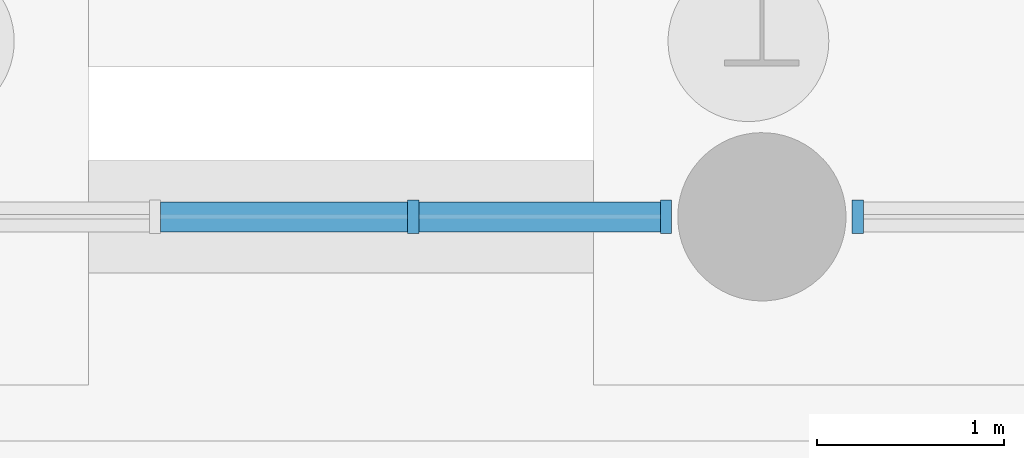
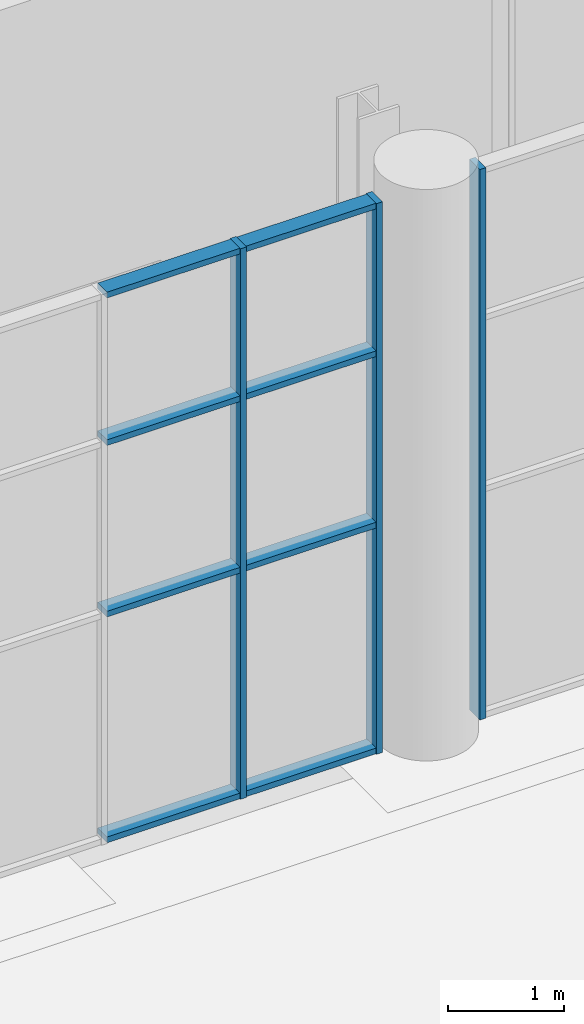
# One storey, part 49 of 131: 11 members, 2 elements without a shape of their own.
"""IFC4 building model written with IfcOpenShell, lengths in metres."""

from ifc_helpers import new_model, si_unit, direction, frame, origin, origin_2d, place, context, subcontext, project, spatial, rectangle, extrude, material, layer, layer_set, material_profile, profile_set, type_object, element, aggregate, save


model = new_model("IFC4")

# Units and contexts
model_context = context("Model", 3, precision=1e-05, world=origin(), true_north=direction((0.0, 1.0)))
body_context = subcontext(model_context, "Body", "Model", "MODEL_VIEW")
ifc_project = project(units=[si_unit("LENGTHUNIT", "METRE"), si_unit("AREAUNIT", "SQUARE_METRE"), si_unit("VOLUMEUNIT", "CUBIC_METRE"), si_unit("PLANEANGLEUNIT", "RADIAN"), si_unit("MASSUNIT", "GRAM", prefix="KILO")], contexts=[model_context])

# Site, building, storey
site_placement = place(None, origin())
site = spatial("IfcSite", under=ifc_project, at=site_placement, CompositionType="ELEMENT")
building_placement = place(site_placement, origin())
building = spatial("IfcBuilding", under=site, at=building_placement, Name="Cazmaro Siding Exhibition Halls", CompositionType="ELEMENT")
storey_placement = place(building_placement, origin())
storey = spatial("IfcBuildingStorey", under=building, at=storey_placement, Name="L00", CompositionType="ELEMENT", Elevation=0.0)

# Curtain wall, members
ifc_material_1 = material(Name="Anodized Bronze Aluminum and Solar-Control Low-E Glazing", Category="aluminium")
ifc_layer = layer(ifc_material_1, 0.179931640625)
ifc_layer_set = layer_set([ifc_layer], Name="Anodized Bronze Aluminum and Solar-Control Low-E Glazing")
curtain_wall_type = type_object("IfcCurtainWallType", Name="CWS-01", PredefinedType="USERDEFINED", material=ifc_layer_set)
curtain_wall_1_placement = place(storey_placement, origin())
curtain_wall_1 = element("IfcCurtainWall", 1, at=curtain_wall_1_placement, inside=storey, type_object=curtain_wall_type, Name="Glazed Curtain Wall CWS-01 CW-185", ObjectType="GLAZED CURTAIN WALL", PredefinedType="USERDEFINED")
ifc_material_2 = material(Name="Anodized Bronze Extruded Aluminum", Category="aluminium")
ifc_material_profile_1 = material_profile(ifc_material_2, rectangle(XDim=0.179931640625, YDim=0.06005859375, at=origin_2d()), Name="CWM-01")
ifc_profile_set_1 = profile_set([ifc_material_profile_1], Name="Anodized Bronze Extruded Aluminum")
member_type_1 = type_object("IfcMemberType", Name="CWM-01", PredefinedType="MULLION", material=ifc_profile_set_1)
member_1_placement = place(storey_placement, frame((125.487060546875, 63.0, 0.0), z_axis=(0.0, 0.0, 1.0), x_axis=(0.0, -1.0, 0.0)))
member_1 = element("IfcMember", 2, at=member_1_placement, type_object=member_type_1, Name="CWS-01 mullion 1", PredefinedType="MULLION", context=body_context, shape_type="SweptSolid", body=[
    extrude(rectangle(XDim=0.179931640625, YDim=0.06005859375, at=origin_2d()), origin(), (0.0, 0.0, 1.0), 5.780029296875),
])
member_2_placement = place(storey_placement, frame((124.1357421875, 63.0, 0.0), z_axis=(0.0, 0.0, 1.0), x_axis=(0.0, -1.0, 0.0)))
member_2 = element("IfcMember", 3, at=member_2_placement, type_object=member_type_1, Name="CWS-01 mullion 2", PredefinedType="MULLION", context=body_context, shape_type="SweptSolid", body=[
    extrude(rectangle(XDim=0.179931640625, YDim=0.06005859375, at=origin_2d()), origin(), (0.0, 0.0, 1.0), 5.780029296875),
])

# Curtain wall, member
curtain_wall_2_placement = place(storey_placement, origin())
curtain_wall_2 = element("IfcCurtainWall", 4, at=curtain_wall_2_placement, inside=storey, type_object=curtain_wall_type, Name="Glazed Curtain Wall CWS-01 CW-191", ObjectType="GLAZED CURTAIN WALL", PredefinedType="USERDEFINED")
member_3_placement = place(storey_placement, frame((126.512939453125, 63.0, 0.0), z_axis=(0.0, 0.0, 1.0), x_axis=(0.0, -1.0, 0.0)))
member_3 = element("IfcMember", 5, at=member_3_placement, type_object=member_type_1, Name="CWS-01 mullion 7", PredefinedType="MULLION", context=body_context, shape_type="SweptSolid", body=[
    extrude(rectangle(XDim=0.179931640625, YDim=0.06005859375, at=origin_2d()), origin(), (0.0, 0.0, 1.0), 5.780029296875),
])
aggregate(curtain_wall_2, [member_3])

# Member
ifc_material_3 = material(Name="Anodized Bronze Extruded Aluminum", Category="aluminium")
ifc_material_profile_2 = material_profile(ifc_material_3, rectangle(XDim=0.159912109375, YDim=0.06005859375, at=origin_2d()), Name="CWT-01")
ifc_profile_set_2 = profile_set([ifc_material_profile_2], Name="Anodized Bronze Extruded Aluminum")
member_type_2 = type_object("IfcMemberType", Name="CWT-01", PredefinedType="MULLION", material=ifc_profile_set_2)
member_4_placement = place(storey_placement, frame((125.45703125, 63.0, 0.030029296875), z_axis=(-1.0, 0.0, 0.0), x_axis=(0.0, -1.0, 0.0)))
member_4 = element("IfcMember", 6, at=member_4_placement, type_object=member_type_2, Name="CWS-01 transom 1.1", ObjectType="TRANSOM", PredefinedType="USERDEFINED", context=body_context, shape_type="SweptSolid", body=[
    extrude(rectangle(XDim=0.159912109375, YDim=0.06005859375, at=origin_2d()), origin(), (0.0, 0.0, 1.0), 1.291259765625),
])

member_5_placement = place(storey_placement, frame((125.45703125, 63.0, 2.39990234375), z_axis=(-1.0, 0.0, 0.0), x_axis=(0.0, -1.0, 0.0)))
member_5 = element("IfcMember", 7, at=member_5_placement, type_object=member_type_2, Name="CWS-01 transom 1.2", ObjectType="TRANSOM", PredefinedType="USERDEFINED", context=body_context, shape_type="SweptSolid", body=[
    extrude(rectangle(XDim=0.159912109375, YDim=0.06005859375, at=origin_2d()), origin(), (0.0, 0.0, 1.0), 1.291259765625),
])

member_6_placement = place(storey_placement, frame((125.45703125, 63.0, 4.199951171875), z_axis=(-1.0, 0.0, 0.0), x_axis=(0.0, -1.0, 0.0)))
member_6 = element("IfcMember", 8, at=member_6_placement, type_object=member_type_2, Name="CWS-01 transom 1.3", ObjectType="TRANSOM", PredefinedType="USERDEFINED", context=body_context, shape_type="SweptSolid", body=[
    extrude(rectangle(XDim=0.159912109375, YDim=0.06005859375, at=origin_2d()), origin(), (0.0, 0.0, 1.0), 1.291259765625),
])

member_7_placement = place(storey_placement, frame((125.45703125, 63.0, 5.75), z_axis=(-1.0, 0.0, 0.0), x_axis=(0.0, -1.0, 0.0)))
member_7 = element("IfcMember", 9, at=member_7_placement, type_object=member_type_2, Name="CWS-01 transom 1.4", ObjectType="TRANSOM", PredefinedType="USERDEFINED", context=body_context, shape_type="SweptSolid", body=[
    extrude(rectangle(XDim=0.159912109375, YDim=0.06005859375, at=origin_2d()), origin(), (0.0, 0.0, 1.0), 1.291259765625),
])

member_8_placement = place(storey_placement, frame((124.105712890625, 63.0, 0.030029296875), z_axis=(-1.0, 0.0, 0.0), x_axis=(0.0, -1.0, 0.0)))
member_8 = element("IfcMember", 10, at=member_8_placement, type_object=member_type_2, Name="CWS-01 transom 2.1", ObjectType="TRANSOM", PredefinedType="USERDEFINED", context=body_context, shape_type="SweptSolid", body=[
    extrude(rectangle(XDim=0.159912109375, YDim=0.06005859375, at=origin_2d()), origin(), (0.0, 0.0, 1.0), 1.321044921875),
])

member_9_placement = place(storey_placement, frame((124.105712890625, 63.0, 2.39990234375), z_axis=(-1.0, 0.0, 0.0), x_axis=(0.0, -1.0, 0.0)))
member_9 = element("IfcMember", 11, at=member_9_placement, type_object=member_type_2, Name="CWS-01 transom 2.2", ObjectType="TRANSOM", PredefinedType="USERDEFINED", context=body_context, shape_type="SweptSolid", body=[
    extrude(rectangle(XDim=0.159912109375, YDim=0.06005859375, at=origin_2d()), origin(), (0.0, 0.0, 1.0), 1.321044921875),
])

member_10_placement = place(storey_placement, frame((124.105712890625, 63.0, 4.199951171875), z_axis=(-1.0, 0.0, 0.0), x_axis=(0.0, -1.0, 0.0)))
member_10 = element("IfcMember", 12, at=member_10_placement, type_object=member_type_2, Name="CWS-01 transom 2.3", ObjectType="TRANSOM", PredefinedType="USERDEFINED", context=body_context, shape_type="SweptSolid", body=[
    extrude(rectangle(XDim=0.159912109375, YDim=0.06005859375, at=origin_2d()), origin(), (0.0, 0.0, 1.0), 1.321044921875),
])

member_11_placement = place(storey_placement, frame((124.105712890625, 63.0, 5.75), z_axis=(-1.0, 0.0, 0.0), x_axis=(0.0, -1.0, 0.0)))
member_11 = element("IfcMember", 13, at=member_11_placement, type_object=member_type_2, Name="CWS-01 transom 2.4", ObjectType="TRANSOM", PredefinedType="USERDEFINED", context=body_context, shape_type="SweptSolid", body=[
    extrude(rectangle(XDim=0.159912109375, YDim=0.06005859375, at=origin_2d()), origin(), (0.0, 0.0, 1.0), 1.321044921875),
])

aggregate(curtain_wall_1, [member_1, member_2, member_4, member_5, member_6, member_7, member_8, member_9, member_10, member_11])

save(model, "model.ifc")
